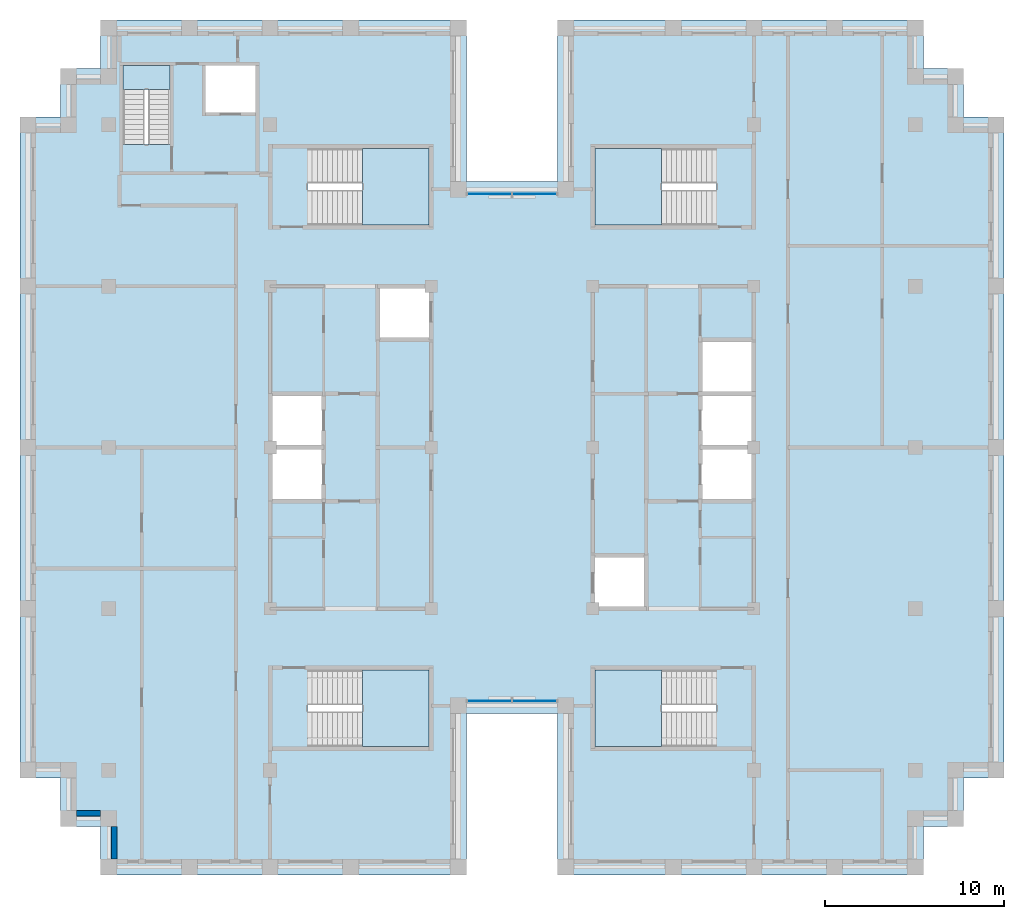
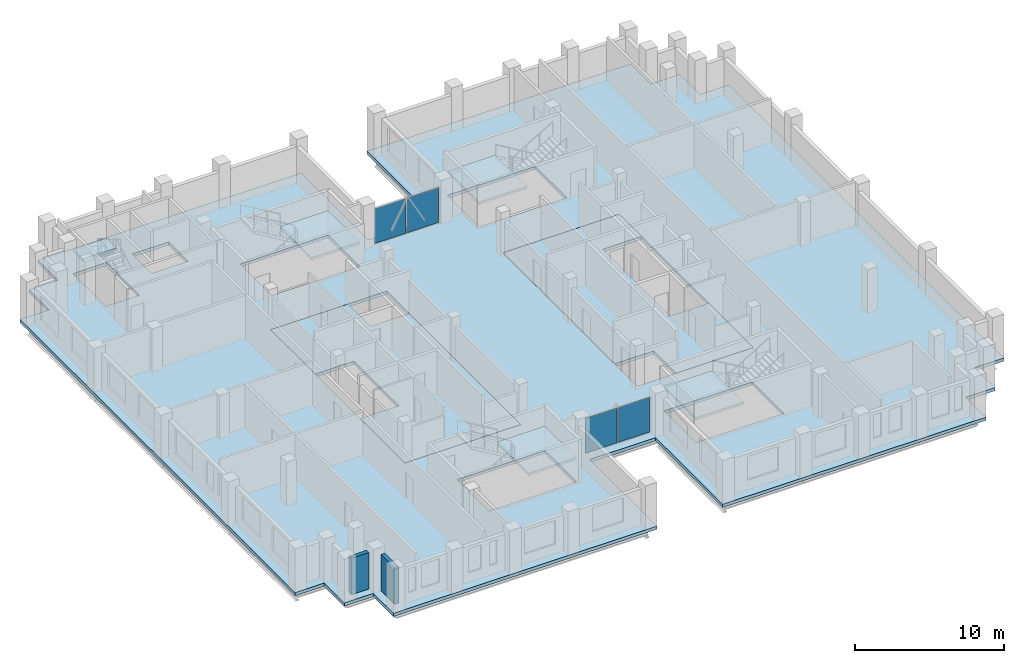
# One storey, part 5 of 13: 8 slabs, 4 plates, 2 walls, 7 elements without a shape of their own.
"""IFC4 building model written with IfcOpenShell, lengths in metres."""

from ifc_helpers import new_model, si_unit, direction, frame, frame_2d, origin, origin_2d, place, context, subcontext, project, spatial, polyline, rectangle, outline, extrude, material, layer, layer_set, type_object, element, aggregate, save


model = new_model("IFC4")

# Units and contexts
model_context = context("Model", 3, precision=1e-05, world=origin(), true_north=direction((0.0, 1.0)))
body_context = subcontext(model_context, "Body", "Model", "MODEL_VIEW")
ifc_project = project(units=[si_unit("LENGTHUNIT", "METRE"), si_unit("AREAUNIT", "SQUARE_METRE"), si_unit("VOLUMEUNIT", "CUBIC_METRE"), si_unit("PLANEANGLEUNIT", "RADIAN"), si_unit("MASSUNIT", "GRAM", prefix="KILO")], contexts=[model_context])

# Site, building, storey
site_placement = place(None, origin())
site = spatial("IfcSite", under=ifc_project, at=site_placement, CompositionType="ELEMENT")
building_placement = place(site_placement, origin())
building = spatial("IfcBuilding", under=site, at=building_placement, Name="Corbelhall Arena Tower", CompositionType="ELEMENT")
storey_placement = place(building_placement, frame((0.0, 0.0, 316.0)))
storey = spatial("IfcBuildingStorey", under=building, at=storey_placement, Name="L69", CompositionType="ELEMENT", Elevation=316.0)

# Curtain wall, plates
ifc_material_1 = material(Name="Aluminium black anodised", Category="aluminium")
ifc_layer_1 = layer(ifc_material_1, 0.199951171875)
ifc_layer_set_1 = layer_set([ifc_layer_1], Name="EV-CW1 Slot back wall")
curtain_wall_type = type_object("IfcCurtainWallType", Name="EV-CW1 Slot back wall", PredefinedType="NOTDEFINED", material=ifc_layer_set_1)
curtain_wall_1_placement = place(storey_placement, origin())
curtain_wall_1 = element("IfcCurtainWall", 1, at=curtain_wall_1_placement, inside=storey, type_object=curtain_wall_type, Name="Curtain wall CW1", PredefinedType="NOTDEFINED")
ifc_material_2 = material(Name="Glass dark tinted laminated", Category="glass")
ifc_layer_2 = layer(ifc_material_2, 0.028076171875)
ifc_layer_set_2 = layer_set([ifc_layer_2], Name="EV-CW1-PANEL")
plate_type = type_object("IfcPlateType", Name="EV-CW1-PANEL", PredefinedType="CURTAIN_PANEL", material=ifc_layer_set_2)
plate_1_placement = place(storey_placement, frame((-1.25634765625, -14.14990234375, 0.0751953125), z_axis=(0.0, 0.0, 1.0), x_axis=(1.0, 0.0, 0.0)))
plate_1 = element("IfcPlate", 2, at=plate_1_placement, type_object=plate_type, Name="CW1 panel 1.1", PredefinedType="CURTAIN_PANEL", context=body_context, shape_type="SweptSolid", body=[
    extrude(rectangle(XDim=2.4375, YDim=0.028076171875, at=origin_2d()), origin(), (0.0, 0.0, 1.0), 2.840087890625),
])
plate_2_placement = place(storey_placement, frame((1.25634765625, -14.14990234375, 0.0751953125), z_axis=(0.0, 0.0, 1.0), x_axis=(1.0, 0.0, 0.0)))
plate_2 = element("IfcPlate", 3, at=plate_2_placement, type_object=plate_type, Name="CW1 panel 2.1", PredefinedType="CURTAIN_PANEL", context=body_context, shape_type="SweptSolid", body=[
    extrude(rectangle(XDim=2.4375, YDim=0.028076171875, at=origin_2d()), origin(), (0.0, 0.0, 1.0), 2.840087890625),
])
aggregate(curtain_wall_1, [plate_1, plate_2])

curtain_wall_2_placement = place(storey_placement, origin())
curtain_wall_2 = element("IfcCurtainWall", 4, at=curtain_wall_2_placement, inside=storey, type_object=curtain_wall_type, Name="Curtain wall CW1", PredefinedType="NOTDEFINED")
plate_3_placement = place(storey_placement, frame((1.25634765625, 14.14990234375, 0.0751953125), z_axis=(0.0, 0.0, 1.0), x_axis=(-1.0, 0.0, 0.0)))
plate_3 = element("IfcPlate", 5, at=plate_3_placement, type_object=plate_type, Name="CW1 panel 1.1", PredefinedType="CURTAIN_PANEL", context=body_context, shape_type="SweptSolid", body=[
    extrude(rectangle(XDim=2.4375, YDim=0.028076171875, at=origin_2d()), origin(), (0.0, 0.0, 1.0), 2.840087890625),
])
plate_4_placement = place(storey_placement, frame((-1.25634765625, 14.14990234375, 0.0751953125), z_axis=(0.0, 0.0, 1.0), x_axis=(-1.0, 0.0, 0.0)))
plate_4 = element("IfcPlate", 6, at=plate_4_placement, type_object=plate_type, Name="CW1 panel 2.1", PredefinedType="CURTAIN_PANEL", context=body_context, shape_type="SweptSolid", body=[
    extrude(rectangle(XDim=2.4375, YDim=0.028076171875, at=origin_2d()), origin(), (0.0, 0.0, 1.0), 2.840087890625),
])
aggregate(curtain_wall_2, [plate_3, plate_4])

# Slabs
ifc_material_3 = material(Name="Concrete C40/50", Category="concrete")
ifc_layer_3 = layer(ifc_material_3, 0.300048828125)
ifc_layer_set_3 = layer_set([ifc_layer_3], Name="IN-SL-CORE")
slab_type_1 = type_object("IfcSlabType", Name="IN-SL-CORE", PredefinedType="FLOOR", material=ifc_layer_set_3)
slab_1_placement = place(storey_placement, frame((0.0, 0.0, -0.260009765625)))
element("IfcSlab", 7, at=slab_1_placement, inside=storey, type_object=slab_type_1, Name="Core floor W", PredefinedType="FLOOR", context=body_context, shape_type="SweptSolid", body=[
    extrude(outline(polyline([(-13.5, -3.0), (-13.5, -9.0), (-4.5, -9.0), (-4.5, 6.0), (-7.5, 6.0), (-7.5, 9.0), (-13.5, 9.0), (-13.5, 3.0), (-10.5, 3.0), (-10.5, 0.0), (-10.5, -3.0), (-13.5, -3.0)])), origin(), (0.0, 0.0, 1.0), 0.260009765625),
])
slab_2_placement = place(storey_placement, frame((0.0, 0.0, -0.260009765625)))
element("IfcSlab", 8, at=slab_2_placement, inside=storey, type_object=slab_type_1, Name="Core floor E", PredefinedType="FLOOR", context=body_context, shape_type="SweptSolid", body=[
    extrude(outline(polyline([(10.5, 0.0), (10.5, 3.0), (10.5, 6.0), (13.5, 6.0), (13.5, 9.0), (4.5, 9.0), (4.5, -6.0), (7.5, -6.0), (7.5, -9.0), (13.5, -9.0), (13.5, -3.0), (10.5, -3.0), (10.5, 0.0)])), origin(), (0.0, 0.0, 1.0), 0.260009765625),
])

# Stair, slab
stair_type = type_object("IfcStairType", Name="IN-ST-TOWER", PredefinedType="HALF_TURN_STAIR", material=ifc_material_3)
stair_1_placement = place(storey_placement, origin())
stair_1 = element("IfcStair", 9, at=stair_1_placement, inside=storey, type_object=stair_type, Name="L69 Exit stair ST1", PredefinedType="HALF_TURN_STAIR")
ifc_layer_4 = layer(ifc_material_3, 0.199951171875)
ifc_layer_set_4 = layer_set([ifc_layer_4], Name="IN-SL-LANDING")
slab_type_2 = type_object("IfcSlabType", Name="IN-SL-LANDING", PredefinedType="LANDING", material=ifc_layer_set_4)
slab_3_placement = place(storey_placement, frame((0.0, 0.0, 1.800048828125)))
slab_3 = element("IfcSlab", 10, at=slab_3_placement, type_object=slab_type_2, Name="ST1 landing 1", PredefinedType="LANDING", context=body_context, shape_type="SweptSolid", body=[
    extrude(outline(polyline([(-8.344970703125, 12.425048828125), (-4.625, 12.425048828125), (-4.625, 16.675048828125), (-8.344970703125, 16.675048828125), (-8.344970703125, 12.425048828125)])), origin(), (0.0, 0.0, 1.0), 0.199951171875),
])
aggregate(stair_1, [slab_3])

stair_2_placement = place(storey_placement, origin())
stair_2 = element("IfcStair", 11, at=stair_2_placement, inside=storey, type_object=stair_type, Name="L69 Exit stair ST2", PredefinedType="HALF_TURN_STAIR")
slab_4_placement = place(storey_placement, frame((0.0, 0.0, 1.800048828125)))
slab_4 = element("IfcSlab", 12, at=slab_4_placement, type_object=slab_type_2, Name="ST2 landing 1", PredefinedType="LANDING", context=body_context, shape_type="SweptSolid", body=[
    extrude(outline(polyline([(-8.344970703125, -16.675048828125), (-4.625, -16.675048828125), (-4.625, -12.425048828125), (-8.344970703125, -12.425048828125), (-8.344970703125, -16.675048828125)])), origin(), (0.0, 0.0, 1.0), 0.199951171875),
])
aggregate(stair_2, [slab_4])

stair_3_placement = place(storey_placement, origin())
stair_3 = element("IfcStair", 13, at=stair_3_placement, inside=storey, type_object=stair_type, Name="L69 Exit stair ST3", PredefinedType="HALF_TURN_STAIR")
slab_5_placement = place(storey_placement, frame((0.0, 0.0, 1.800048828125)))
slab_5 = element("IfcSlab", 14, at=slab_5_placement, type_object=slab_type_2, Name="ST3 landing 1", PredefinedType="LANDING", context=body_context, shape_type="SweptSolid", body=[
    extrude(outline(polyline([(8.344970703125, 16.675048828125), (4.625, 16.675048828125), (4.625, 12.425048828125), (8.344970703125, 12.425048828125), (8.344970703125, 16.675048828125)])), origin(), (0.0, 0.0, 1.0), 0.199951171875),
])
aggregate(stair_3, [slab_5])

stair_4_placement = place(storey_placement, origin())
stair_4 = element("IfcStair", 15, at=stair_4_placement, inside=storey, type_object=stair_type, Name="L69 Exit stair ST4", PredefinedType="HALF_TURN_STAIR")
slab_6_placement = place(storey_placement, frame((0.0, 0.0, 1.800048828125)))
slab_6 = element("IfcSlab", 16, at=slab_6_placement, type_object=slab_type_2, Name="ST4 landing 1", PredefinedType="LANDING", context=body_context, shape_type="SweptSolid", body=[
    extrude(outline(polyline([(8.344970703125, -12.425048828125), (4.625, -12.425048828125), (4.625, -16.675048828125), (8.344970703125, -16.675048828125), (8.344970703125, -12.425048828125)])), origin(), (0.0, 0.0, 1.0), 0.199951171875),
])
aggregate(stair_4, [slab_6])

stair_5_placement = place(storey_placement, origin())
stair_5 = element("IfcStair", 17, at=stair_5_placement, inside=storey, type_object=stair_type, Name="L69 Exit stair ST5", PredefinedType="HALF_TURN_STAIR")
slab_7_placement = place(storey_placement, frame((0.0, 0.0, 1.800048828125)))
slab_7 = element("IfcSlab", 18, at=slab_7_placement, type_object=slab_type_2, Name="ST5 landing 1", PredefinedType="LANDING", context=body_context, shape_type="SweptSolid", body=[
    extrude(outline(polyline([(-19.094970703125, 19.97998046875), (-19.094970703125, 21.300048828125), (-21.695068359375, 21.300048828125), (-21.695068359375, 19.97998046875), (-19.094970703125, 19.97998046875)])), origin(), (0.0, 0.0, 1.0), 0.199951171875),
])
aggregate(stair_5, [slab_7])

# Slab
ifc_layer_5 = layer(ifc_material_3, 0.260009765625)
ifc_layer_set_5 = layer_set([ifc_layer_5], Name="ST-SLAB-FLOOR-260")
slab_type_3 = type_object("IfcSlabType", Name="ST-SLAB-FLOOR-260", PredefinedType="FLOOR", material=ifc_layer_set_5)
slab_8_placement = place(storey_placement, frame((0.0, 0.0, -0.260009765625)))
element("IfcSlab", 19, at=slab_8_placement, inside=storey, type_object=slab_type_3, Name="Floor slab L69 1", PredefinedType="FLOOR", context=body_context, shape_type="SweptSolid", body=[
    extrude(outline(polyline([(22.949951171875, 23.85009765625), (2.550048828125, 23.85009765625), (2.550048828125, 14.85009765625), (-2.550048828125, 14.85009765625), (-2.550048828125, 23.85009765625), (-22.949951171875, 23.85009765625), (-22.949951171875, 21.14990234375), (-25.199951171875, 21.14990234375), (-25.199951171875, 18.449951171875), (-27.449951171875, 18.449951171875), (-27.449951171875, -18.449951171875), (-25.199951171875, -18.449951171875), (-25.199951171875, -21.14990234375), (-22.949951171875, -21.14990234375), (-22.949951171875, -23.85009765625), (-2.550048828125, -23.85009765625), (-2.550048828125, -14.85009765625), (2.550048828125, -14.85009765625), (2.550048828125, -23.85009765625), (22.949951171875, -23.85009765625), (22.949951171875, -21.14990234375), (25.199951171875, -21.14990234375), (25.199951171875, -18.449951171875), (27.449951171875, -18.449951171875), (27.449951171875, 18.449951171875), (25.199951171875, 18.449951171875), (25.199951171875, 21.14990234375), (22.949951171875, 21.14990234375), (22.949951171875, 23.85009765625)]), holes=[polyline([(-13.5, 9.0), (-13.5, -9.0), (-4.5, -9.0), (-4.5, 9.0), (-13.5, 9.0)]), polyline([(4.5, 9.0), (4.5, -9.0), (13.5, -9.0), (13.5, 9.0), (4.5, 9.0)]), polyline([(-4.625, 16.675048828125), (-11.422119140625, 16.675048828125), (-11.422119140625, 12.425048828125), (-4.625, 12.425048828125), (-4.625, 16.675048828125)]), polyline([(-4.625, -16.675048828125), (-4.625, -12.425048828125), (-11.422119140625, -12.425048828125), (-11.422119140625, -16.675048828125), (-4.625, -16.675048828125)]), polyline([(11.422119140625, 16.675048828125), (4.625, 16.675048828125), (4.625, 12.425048828125), (11.422119140625, 12.425048828125), (11.422119140625, 16.675048828125)]), polyline([(11.422119140625, -16.675048828125), (11.422119140625, -12.425048828125), (4.625, -12.425048828125), (4.625, -16.675048828125), (11.422119140625, -16.675048828125)]), polyline([(-21.695068359375, 21.300048828125), (-21.695068359375, 16.903076171875), (-19.094970703125, 16.903076171875), (-19.094970703125, 21.300048828125), (-21.695068359375, 21.300048828125)]), polyline([(-14.300048828125, 21.300048828125), (-17.10009765625, 21.300048828125), (-17.10009765625, 18.699951171875), (-14.300048828125, 18.699951171875), (-14.300048828125, 21.300048828125)])]), origin(), (0.0, 0.0, 1.0), 0.260009765625),
])

# Walls
ifc_material_4 = material(Name="Precast concrete C40/50 with granite facing", Category="masonry")
ifc_layer_6 = layer(ifc_material_4, 0.300048828125)
ifc_layer_set_6 = layer_set([ifc_layer_6], Name="EV-IW1 Infill panel 300")
wall_type = type_object("IfcWallType", Name="EV-IW1 Infill panel 300", PredefinedType="SOLIDWALL", material=ifc_layer_set_6)
wall_1_placement = place(storey_placement, frame((-24.300048828125, -20.39990234375, 0.0), z_axis=(0.0, 0.0, 1.0), x_axis=(1.0, 0.0, 0.0)))
element("IfcWall", 20, at=wall_1_placement, inside=storey, type_object=wall_type, Name="Infill panel IW1", PredefinedType="SOLIDWALL", context=body_context, shape_type="SweptSolid", body=[
    extrude(rectangle(XDim=1.35009765625, YDim=0.300048828125, at=frame_2d((0.675048828125, 0.0))), origin(), (0.0, 0.0, 1.0), 2.989990234375),
])
wall_2_placement = place(storey_placement, frame((-22.199951171875, -21.14990234375, 0.0), z_axis=(0.0, 0.0, 1.0), x_axis=(0.0, -1.0, 0.0)))
element("IfcWall", 21, at=wall_2_placement, inside=storey, type_object=wall_type, Name="Infill panel IW1", PredefinedType="SOLIDWALL", context=body_context, shape_type="SweptSolid", body=[
    extrude(rectangle(XDim=1.800048828125, YDim=0.300048828125, at=frame_2d((0.89990234375, 0.0))), origin(), (0.0, 0.0, 1.0), 2.989990234375),
])

save(model, "model.ifc")
